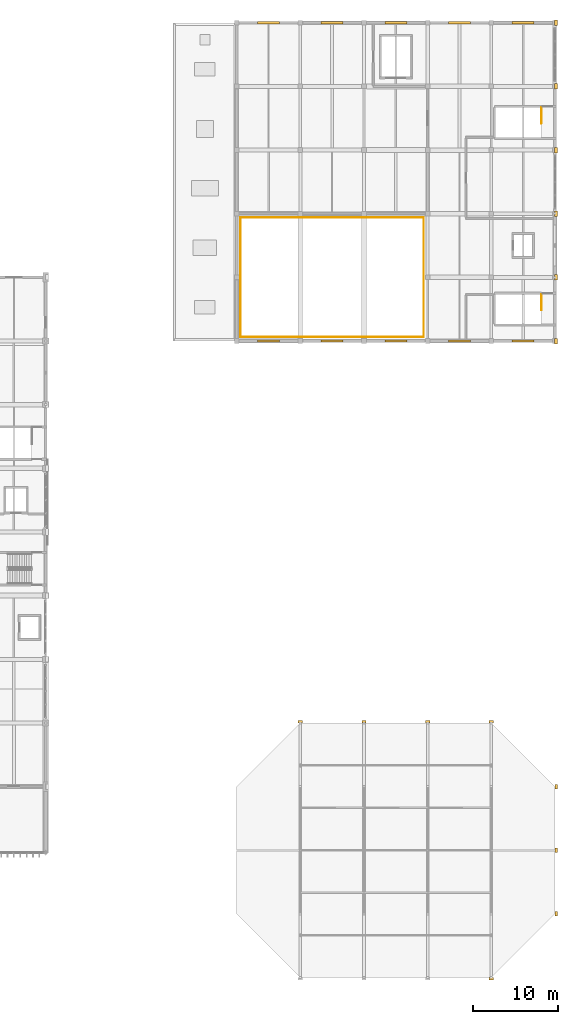
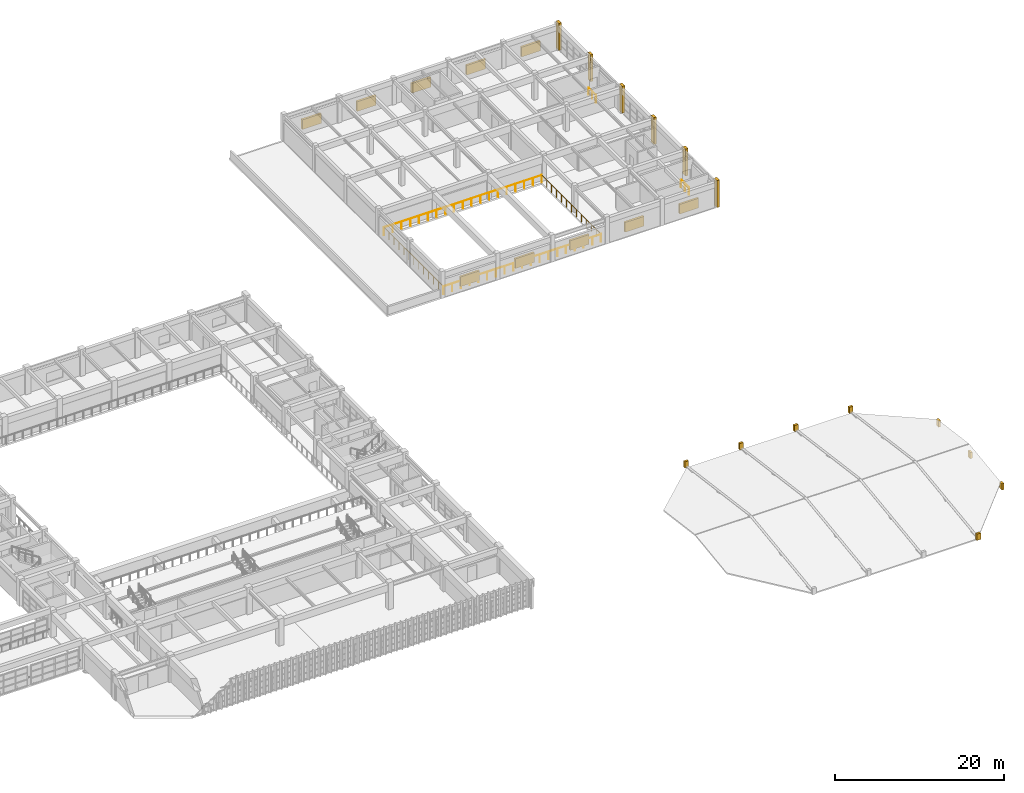
# One storey, part 101 of 101: 14 coverings, 10 shading devices, 6 railings.
"""IFC4 building model written with IfcOpenShell, lengths in metres."""

from ifc_helpers import new_model, si_unit, direction, frame, origin, origin_2d, place, context, subcontext, project, spatial, rectangle, circle, extrude, material, layer, layer_set, type_object, element, save


model = new_model("IFC4")

# Units and contexts
model_context = context("Model", 3, precision=1e-05, world=origin(), true_north=direction((0.0, 1.0)))
body_context = subcontext(model_context, "Body", "Model", "MODEL_VIEW")
ifc_project = project(units=[si_unit("LENGTHUNIT", "METRE"), si_unit("AREAUNIT", "SQUARE_METRE"), si_unit("VOLUMEUNIT", "CUBIC_METRE"), si_unit("PLANEANGLEUNIT", "RADIAN"), si_unit("MASSUNIT", "GRAM", prefix="KILO")], contexts=[model_context])

# Site, building, storey
site_placement = place(None, origin())
site = spatial("IfcSite", under=ifc_project, at=site_placement, CompositionType="ELEMENT")
building_placement = place(site_placement, origin())
building = spatial("IfcBuilding", under=site, at=building_placement, Name="Qasida Concert Hall", CompositionType="ELEMENT")
storey_placement = place(building_placement, frame((0.0, 0.0, 13.199951171875)))
storey = spatial("IfcBuildingStorey", under=building, at=storey_placement, Name="L03", CompositionType="ELEMENT", Elevation=13.199951171875)

# Coverings
ifc_material_1 = material(Name="Projecting fluted Lebanese limestone Art Deco pilaster", Category="masonry")
ifc_layer_1 = layer(ifc_material_1, 0.35009765625, Name="Projecting fluted Lebanese limestone Art Deco pilaster")
ifc_layer_set_1 = layer_set([ifc_layer_1], Name="Projecting fluted Lebanese limestone Art Deco pilaster")
covering_type = type_object("IfcCoveringType", Name="CV-PIL-650", PredefinedType="CLADDING", material=ifc_layer_set_1)
for number, where, z_axis, x_axis, name in (
    (1, (135.0, 30.135009765625, 0.0), (0.0, 0.0, 1.0), (1.0, 0.0, 0.0), "Stepped Art Deco pier finial 0198"),
    (2, (142.5, 30.135009765625, 0.0), (0.0, 0.0, 1.0), (1.0, 0.0, 0.0), "Stepped Art Deco pier finial 0206"),
    (3, (150.0, 30.135009765625, 0.0), (0.0, 0.0, 1.0), (1.0, 0.0, 0.0), "Stepped Art Deco pier finial 0214"),
    (4, (157.5, -0.135009765625, 0.0), (0.0, 0.0, 1.0), (1.0, 0.0, 0.0), "Stepped Art Deco pier finial 0218"),
    (5, (157.5, 30.135009765625, 0.0), (0.0, 0.0, 1.0), (1.0, 0.0, 0.0), "Stepped Art Deco pier finial 0222"),
):
    element("IfcCovering", number, at=place(storey_placement, frame(where, z_axis=z_axis, x_axis=x_axis)), inside=storey, type_object=covering_type, Name=name, PredefinedType="CLADDING", context=body_context, shape_type="SweptSolid", body=[
        extrude(rectangle(XDim=0.52001953125, YDim=0.300048828125, at=origin_2d()), origin(), (0.0, 0.0, 1.0), 0.89990234375),
    ])
for number, where, z_axis, x_axis, name in (
    (6, (165.135009765625, 7.5, 0.0), (0.0, 0.0, 1.0), (1.0, 0.0, 0.0), "Stepped Art Deco pier finial 0226"),
    (7, (165.135009765625, 15.0, 0.0), (0.0, 0.0, 1.0), (1.0, 0.0, 0.0), "Stepped Art Deco pier finial 0230"),
    (8, (165.135009765625, 22.5, 0.0), (0.0, 0.0, 1.0), (1.0, 0.0, 0.0), "Stepped Art Deco pier finial 0234"),
):
    element("IfcCovering", number, at=place(storey_placement, frame(where, z_axis=z_axis, x_axis=x_axis)), inside=storey, type_object=covering_type, Name=name, PredefinedType="CLADDING", context=body_context, shape_type="SweptSolid", body=[
        extrude(rectangle(XDim=0.300048828125, YDim=0.52001953125, at=origin_2d()), origin(), (0.0, 0.0, 1.0), 0.89990234375),
    ])
for number, where, z_axis, x_axis, name in (
    (9, (165.135009765625, 75.0, 0.0), (0.0, 0.0, 1.0), (1.0, 0.0, 0.0), "L03 fluted limestone pilaster 0238"),
    (10, (165.135009765625, 82.5, 0.0), (0.0, 0.0, 1.0), (1.0, 0.0, 0.0), "L03 fluted limestone pilaster 0243"),
    (11, (165.135009765625, 90.0, 0.0), (0.0, 0.0, 1.0), (1.0, 0.0, 0.0), "L03 fluted limestone pilaster 0248"),
    (12, (165.135009765625, 97.5, 0.0), (0.0, 0.0, 1.0), (1.0, 0.0, 0.0), "L03 fluted limestone pilaster 0253"),
    (13, (165.135009765625, 105.0, 0.0), (0.0, 0.0, 1.0), (1.0, 0.0, 0.0), "L03 fluted limestone pilaster 0258"),
    (14, (165.135009765625, 112.5, 0.0), (0.0, 0.0, 1.0), (1.0, 0.0, 0.0), "L03 fluted limestone pilaster 0263"),
):
    element("IfcCovering", number, at=place(storey_placement, frame(where, z_axis=z_axis, x_axis=x_axis)), inside=storey, type_object=covering_type, Name=name, PredefinedType="CLADDING", context=body_context, shape_type="SweptSolid", body=[
        extrude(rectangle(XDim=0.35009765625, YDim=0.64990234375, at=origin_2d()), origin(), (0.0, 0.0, 1.0), 3.89990234375),
    ])

# Railings
ifc_material_2 = material(Name="Patinated architectural bronze and laminated glass infill", Category="glass")
ifc_layer_2 = layer(ifc_material_2, 0.080078125, Name="Patinated architectural bronze and laminated glass infill")
ifc_layer_set_2 = layer_set([ifc_layer_2], Name="Patinated architectural bronze and laminated glass infill")
railing_type = type_object("IfcRailingType", Name="RL-GRD-1100", PredefinedType="GUARDRAIL", material=ifc_layer_set_2)
railing_1_placement = place(storey_placement, frame((127.9599609375, 75.4599609375, 0.0)))
element("IfcRailing", 15, at=railing_1_placement, inside=storey, type_object=railing_type, Name="L03 Rehearsal void guardrail 0127", PredefinedType="GUARDRAIL", context=body_context, shape_type="SweptSolid", body=[
    extrude(circle(Radius=0.02392578125, at=origin_2d()), frame((0.0, 0.0, 1.09619140625), z_axis=(1.0, 0.0, 0.0), x_axis=(0.0, 1.0, 0.0)), (0.0, 0.0, 1.0), 21.580078125),
    extrude(circle(Radius=0.02099609375, at=origin_2d()), origin(), (0.0, 0.0, 1.0), 1.072021484375),
    extrude(circle(Radius=0.02099609375, at=origin_2d()), frame((1.198974609375, 0.0, 0.0)), (0.0, 0.0, 1.0), 1.072021484375),
    extrude(circle(Radius=0.02099609375, at=origin_2d()), frame((2.397705078125, 0.0, 0.0)), (0.0, 0.0, 1.0), 1.072021484375),
    extrude(circle(Radius=0.02099609375, at=origin_2d()), frame((3.5966796875, 0.0, 0.0)), (0.0, 0.0, 1.0), 1.072021484375),
    extrude(circle(Radius=0.02099609375, at=origin_2d()), frame((4.795654296875, 0.0, 0.0)), (0.0, 0.0, 1.0), 1.072021484375),
    extrude(circle(Radius=0.02099609375, at=origin_2d()), frame((5.994384765625, 0.0, 0.0)), (0.0, 0.0, 1.0), 1.072021484375),
    extrude(circle(Radius=0.02099609375, at=origin_2d()), frame((7.193359375, 0.0, 0.0)), (0.0, 0.0, 1.0), 1.072021484375),
    extrude(circle(Radius=0.02099609375, at=origin_2d()), frame((8.392333984375, 0.0, 0.0)), (0.0, 0.0, 1.0), 1.072021484375),
    extrude(circle(Radius=0.02099609375, at=origin_2d()), frame((9.591064453125, 0.0, 0.0)), (0.0, 0.0, 1.0), 1.072021484375),
    extrude(circle(Radius=0.02099609375, at=origin_2d()), frame((10.7900390625, 0.0, 0.0)), (0.0, 0.0, 1.0), 1.072021484375),
    extrude(circle(Radius=0.02099609375, at=origin_2d()), frame((11.989013671875, 0.0, 0.0)), (0.0, 0.0, 1.0), 1.072021484375),
    extrude(circle(Radius=0.02099609375, at=origin_2d()), frame((13.187744140625, 0.0, 0.0)), (0.0, 0.0, 1.0), 1.072021484375),
    extrude(circle(Radius=0.02099609375, at=origin_2d()), frame((14.38671875, 0.0, 0.0)), (0.0, 0.0, 1.0), 1.072021484375),
    extrude(circle(Radius=0.02099609375, at=origin_2d()), frame((15.585693359375, 0.0, 0.0)), (0.0, 0.0, 1.0), 1.072021484375),
    extrude(circle(Radius=0.02099609375, at=origin_2d()), frame((16.784423828125, 0.0, 0.0)), (0.0, 0.0, 1.0), 1.072021484375),
    extrude(circle(Radius=0.02099609375, at=origin_2d()), frame((17.9833984375, 0.0, 0.0)), (0.0, 0.0, 1.0), 1.072021484375),
    extrude(circle(Radius=0.02099609375, at=origin_2d()), frame((19.182373046875, 0.0, 0.0)), (0.0, 0.0, 1.0), 1.072021484375),
    extrude(circle(Radius=0.02099609375, at=origin_2d()), frame((20.381103515625, 0.0, 0.0)), (0.0, 0.0, 1.0), 1.072021484375),
    extrude(circle(Radius=0.02099609375, at=origin_2d()), frame((21.580078125, 0.0, 0.0)), (0.0, 0.0, 1.0), 1.072021484375),
])
railing_2_placement = place(storey_placement, frame((149.5400390625, 75.4599609375, 0.0)))
element("IfcRailing", 16, at=railing_2_placement, inside=storey, type_object=railing_type, Name="L03 Rehearsal void guardrail 0128", PredefinedType="GUARDRAIL", context=body_context, shape_type="SweptSolid", body=[
    extrude(circle(Radius=0.02392578125, at=origin_2d()), frame((0.0, 0.0, 1.09619140625), z_axis=(0.0, 1.0, 0.0), x_axis=(-1.0, 0.0, 0.0)), (0.0, 0.0, 1.0), 14.080078125),
    extrude(circle(Radius=0.02099609375, at=origin_2d()), origin(), (0.0, 0.0, 1.0), 1.072021484375),
    extrude(circle(Radius=0.02099609375, at=origin_2d()), frame((0.0, 1.17333984375, 0.0)), (0.0, 0.0, 1.0), 1.072021484375),
    extrude(circle(Radius=0.02099609375, at=origin_2d()), frame((0.0, 2.3466796875, 0.0)), (0.0, 0.0, 1.0), 1.072021484375),
    extrude(circle(Radius=0.02099609375, at=origin_2d()), frame((0.0, 3.52001953125, 0.0)), (0.0, 0.0, 1.0), 1.072021484375),
    extrude(circle(Radius=0.02099609375, at=origin_2d()), frame((0.0, 4.693359375, 0.0)), (0.0, 0.0, 1.0), 1.072021484375),
    extrude(circle(Radius=0.02099609375, at=origin_2d()), frame((0.0, 5.86669921875, 0.0)), (0.0, 0.0, 1.0), 1.072021484375),
    extrude(circle(Radius=0.02099609375, at=origin_2d()), frame((0.0, 7.0400390625, 0.0)), (0.0, 0.0, 1.0), 1.072021484375),
    extrude(circle(Radius=0.02099609375, at=origin_2d()), frame((0.0, 8.21337890625, 0.0)), (0.0, 0.0, 1.0), 1.072021484375),
    extrude(circle(Radius=0.02099609375, at=origin_2d()), frame((0.0, 9.38671875, 0.0)), (0.0, 0.0, 1.0), 1.072021484375),
    extrude(circle(Radius=0.02099609375, at=origin_2d()), frame((0.0, 10.56005859375, 0.0)), (0.0, 0.0, 1.0), 1.072021484375),
    extrude(circle(Radius=0.02099609375, at=origin_2d()), frame((0.0, 11.7333984375, 0.0)), (0.0, 0.0, 1.0), 1.072021484375),
    extrude(circle(Radius=0.02099609375, at=origin_2d()), frame((0.0, 12.90673828125, 0.0)), (0.0, 0.0, 1.0), 1.072021484375),
    extrude(circle(Radius=0.02099609375, at=origin_2d()), frame((0.0, 14.080078125, 0.0)), (0.0, 0.0, 1.0), 1.072021484375),
])
railing_3_placement = place(storey_placement, frame((149.5400390625, 89.5400390625, 0.0)))
element("IfcRailing", 17, at=railing_3_placement, inside=storey, type_object=railing_type, Name="L03 Rehearsal void guardrail 0129", PredefinedType="GUARDRAIL", context=body_context, shape_type="SweptSolid", body=[
    extrude(circle(Radius=0.02392578125, at=origin_2d()), frame((0.0, 0.0, 1.09619140625), z_axis=(-1.0, 0.0, 0.0), x_axis=(0.0, -1.0, 0.0)), (0.0, 0.0, 1.0), 21.580078125),
    extrude(circle(Radius=0.02099609375, at=origin_2d()), origin(), (0.0, 0.0, 1.0), 1.072021484375),
    extrude(circle(Radius=0.02099609375, at=origin_2d()), frame((-1.198974609375, 0.0, 0.0)), (0.0, 0.0, 1.0), 1.072021484375),
    extrude(circle(Radius=0.02099609375, at=origin_2d()), frame((-2.397705078125, 0.0, 0.0)), (0.0, 0.0, 1.0), 1.072021484375),
    extrude(circle(Radius=0.02099609375, at=origin_2d()), frame((-3.5966796875, 0.0, 0.0)), (0.0, 0.0, 1.0), 1.072021484375),
    extrude(circle(Radius=0.02099609375, at=origin_2d()), frame((-4.795654296875, 0.0, 0.0)), (0.0, 0.0, 1.0), 1.072021484375),
    extrude(circle(Radius=0.02099609375, at=origin_2d()), frame((-5.994384765625, 0.0, 0.0)), (0.0, 0.0, 1.0), 1.072021484375),
    extrude(circle(Radius=0.02099609375, at=origin_2d()), frame((-7.193359375, 0.0, 0.0)), (0.0, 0.0, 1.0), 1.072021484375),
    extrude(circle(Radius=0.02099609375, at=origin_2d()), frame((-8.392333984375, 0.0, 0.0)), (0.0, 0.0, 1.0), 1.072021484375),
    extrude(circle(Radius=0.02099609375, at=origin_2d()), frame((-9.591064453125, 0.0, 0.0)), (0.0, 0.0, 1.0), 1.072021484375),
    extrude(circle(Radius=0.02099609375, at=origin_2d()), frame((-10.7900390625, 0.0, 0.0)), (0.0, 0.0, 1.0), 1.072021484375),
    extrude(circle(Radius=0.02099609375, at=origin_2d()), frame((-11.989013671875, 0.0, 0.0)), (0.0, 0.0, 1.0), 1.072021484375),
    extrude(circle(Radius=0.02099609375, at=origin_2d()), frame((-13.187744140625, 0.0, 0.0)), (0.0, 0.0, 1.0), 1.072021484375),
    extrude(circle(Radius=0.02099609375, at=origin_2d()), frame((-14.38671875, 0.0, 0.0)), (0.0, 0.0, 1.0), 1.072021484375),
    extrude(circle(Radius=0.02099609375, at=origin_2d()), frame((-15.585693359375, 0.0, 0.0)), (0.0, 0.0, 1.0), 1.072021484375),
    extrude(circle(Radius=0.02099609375, at=origin_2d()), frame((-16.784423828125, 0.0, 0.0)), (0.0, 0.0, 1.0), 1.072021484375),
    extrude(circle(Radius=0.02099609375, at=origin_2d()), frame((-17.9833984375, 0.0, 0.0)), (0.0, 0.0, 1.0), 1.072021484375),
    extrude(circle(Radius=0.02099609375, at=origin_2d()), frame((-19.182373046875, 0.0, 0.0)), (0.0, 0.0, 1.0), 1.072021484375),
    extrude(circle(Radius=0.02099609375, at=origin_2d()), frame((-20.381103515625, 0.0, 0.0)), (0.0, 0.0, 1.0), 1.072021484375),
    extrude(circle(Radius=0.02099609375, at=origin_2d()), frame((-21.580078125, 0.0, 0.0)), (0.0, 0.0, 1.0), 1.072021484375),
])
railing_4_placement = place(storey_placement, frame((127.9599609375, 89.5400390625, 0.0)))
element("IfcRailing", 18, at=railing_4_placement, inside=storey, type_object=railing_type, Name="L03 Rehearsal void guardrail 0130", PredefinedType="GUARDRAIL", context=body_context, shape_type="SweptSolid", body=[
    extrude(circle(Radius=0.02392578125, at=origin_2d()), frame((0.0, 0.0, 1.09619140625), z_axis=(0.0, -1.0, 0.0), x_axis=(1.0, 0.0, 0.0)), (0.0, 0.0, 1.0), 14.080078125),
    extrude(circle(Radius=0.02099609375, at=origin_2d()), origin(), (0.0, 0.0, 1.0), 1.072021484375),
    extrude(circle(Radius=0.02099609375, at=origin_2d()), frame((0.0, -1.17333984375, 0.0)), (0.0, 0.0, 1.0), 1.072021484375),
    extrude(circle(Radius=0.02099609375, at=origin_2d()), frame((0.0, -2.3466796875, 0.0)), (0.0, 0.0, 1.0), 1.072021484375),
    extrude(circle(Radius=0.02099609375, at=origin_2d()), frame((0.0, -3.52001953125, 0.0)), (0.0, 0.0, 1.0), 1.072021484375),
    extrude(circle(Radius=0.02099609375, at=origin_2d()), frame((0.0, -4.693359375, 0.0)), (0.0, 0.0, 1.0), 1.072021484375),
    extrude(circle(Radius=0.02099609375, at=origin_2d()), frame((0.0, -5.86669921875, 0.0)), (0.0, 0.0, 1.0), 1.072021484375),
    extrude(circle(Radius=0.02099609375, at=origin_2d()), frame((0.0, -7.0400390625, 0.0)), (0.0, 0.0, 1.0), 1.072021484375),
    extrude(circle(Radius=0.02099609375, at=origin_2d()), frame((0.0, -8.21337890625, 0.0)), (0.0, 0.0, 1.0), 1.072021484375),
    extrude(circle(Radius=0.02099609375, at=origin_2d()), frame((0.0, -9.38671875, 0.0)), (0.0, 0.0, 1.0), 1.072021484375),
    extrude(circle(Radius=0.02099609375, at=origin_2d()), frame((0.0, -10.56005859375, 0.0)), (0.0, 0.0, 1.0), 1.072021484375),
    extrude(circle(Radius=0.02099609375, at=origin_2d()), frame((0.0, -11.7333984375, 0.0)), (0.0, 0.0, 1.0), 1.072021484375),
    extrude(circle(Radius=0.02099609375, at=origin_2d()), frame((0.0, -12.90673828125, 0.0)), (0.0, 0.0, 1.0), 1.072021484375),
    extrude(circle(Radius=0.02099609375, at=origin_2d()), frame((0.0, -14.080078125, 0.0)), (0.0, 0.0, 1.0), 1.072021484375),
])
for number, where, name in (
    (19, (163.39990234375, 80.5, 0.0), "L03 ST-07 top well guard 1"),
    (20, (163.39990234375, 102.5, 0.0), "L03 ST-08 top well guard 1"),
):
    element("IfcRailing", number, at=place(storey_placement, frame(where)), inside=storey, type_object=railing_type, Name=name, PredefinedType="GUARDRAIL", context=body_context, shape_type="SweptSolid", body=[
        extrude(circle(Radius=0.02392578125, at=origin_2d()), frame((0.0, 0.0, 1.076171875), z_axis=(0.0, -1.0, 0.0), x_axis=(1.0, 0.0, 0.0)), (0.0, 0.0, 1.0), 1.85009765625),
        extrude(circle(Radius=0.02099609375, at=origin_2d()), origin(), (0.0, 0.0, 1.0), 1.052001953125),
        extrude(circle(Radius=0.02099609375, at=origin_2d()), frame((0.0, -0.925048828125, 0.0)), (0.0, 0.0, 1.0), 1.052001953125),
        extrude(circle(Radius=0.02099609375, at=origin_2d()), frame((0.0, -1.85009765625, 0.0)), (0.0, 0.0, 1.0), 1.052001953125),
    ])

# Shading devices
ifc_material_3 = material(Name="Acoustic attenuated bronze-anodized aluminium", Category="aluminium")
shading_device_type = type_object("IfcShadingDeviceType", Name="SHD-LVR-300", PredefinedType="USERDEFINED", material=ifc_material_3)
for number, where, z_axis, x_axis, name in (
    (21, (131.25, 75.0, 0.7001953125), (0.0, 0.0, 1.0), (1.0, 0.0, 0.0), "Acoustic plant intake louvre LV-S01"),
    (22, (131.25, 112.5, 0.7001953125), (0.0, 0.0, 1.0), (1.0, 0.0, 0.0), "Acoustic plant exhaust louvre LV-N01"),
    (23, (138.75, 75.0, 0.7001953125), (0.0, 0.0, 1.0), (1.0, 0.0, 0.0), "Acoustic plant intake louvre LV-S02"),
    (24, (138.75, 112.5, 0.7001953125), (0.0, 0.0, 1.0), (1.0, 0.0, 0.0), "Acoustic plant exhaust louvre LV-N02"),
    (25, (146.25, 75.0, 0.7001953125), (0.0, 0.0, 1.0), (1.0, 0.0, 0.0), "Acoustic plant intake louvre LV-S03"),
    (26, (146.25, 112.5, 0.7001953125), (0.0, 0.0, 1.0), (1.0, 0.0, 0.0), "Acoustic plant exhaust louvre LV-N03"),
    (27, (153.75, 75.0, 0.7001953125), (0.0, 0.0, 1.0), (1.0, 0.0, 0.0), "Acoustic plant intake louvre LV-S04"),
    (28, (153.75, 112.5, 0.7001953125), (0.0, 0.0, 1.0), (1.0, 0.0, 0.0), "Acoustic plant exhaust louvre LV-N04"),
    (29, (161.25, 75.0, 0.7001953125), (0.0, 0.0, 1.0), (1.0, 0.0, 0.0), "Acoustic plant intake louvre LV-S05"),
    (30, (161.25, 112.5, 0.7001953125), (0.0, 0.0, 1.0), (1.0, 0.0, 0.0), "Acoustic plant exhaust louvre LV-N05"),
):
    element("IfcShadingDevice", number, at=place(storey_placement, frame(where, z_axis=z_axis, x_axis=x_axis)), inside=storey, type_object=shading_device_type, Name=name, ObjectType="LOUVRE", PredefinedType="USERDEFINED", context=body_context, shape_type="SweptSolid", body=[
        extrude(rectangle(XDim=2.60009765625, YDim=0.280029296875, at=origin_2d()), origin(), (0.0, 0.0, 1.0), 1.39990234375),
    ])

save(model, "model.ifc")
